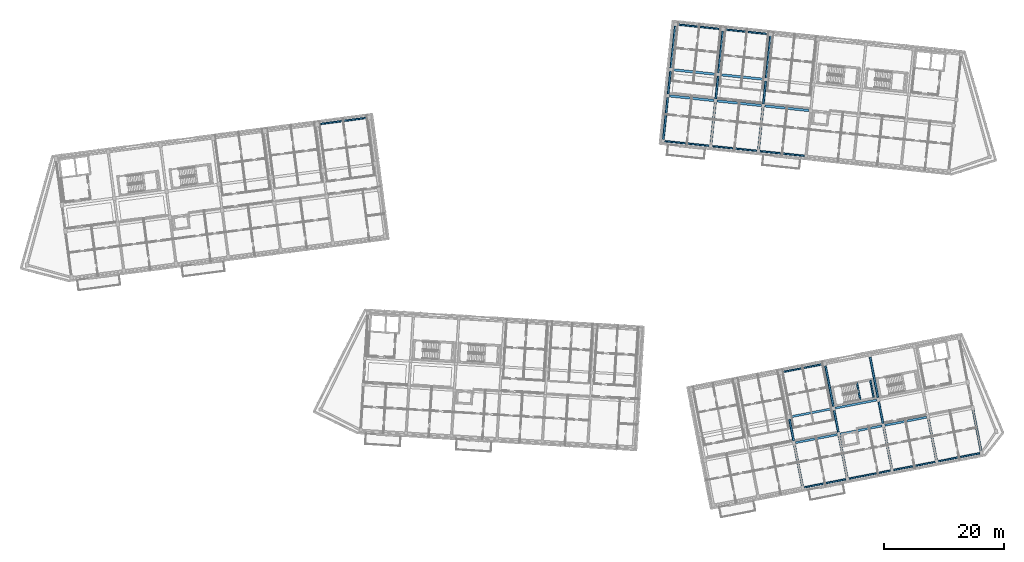
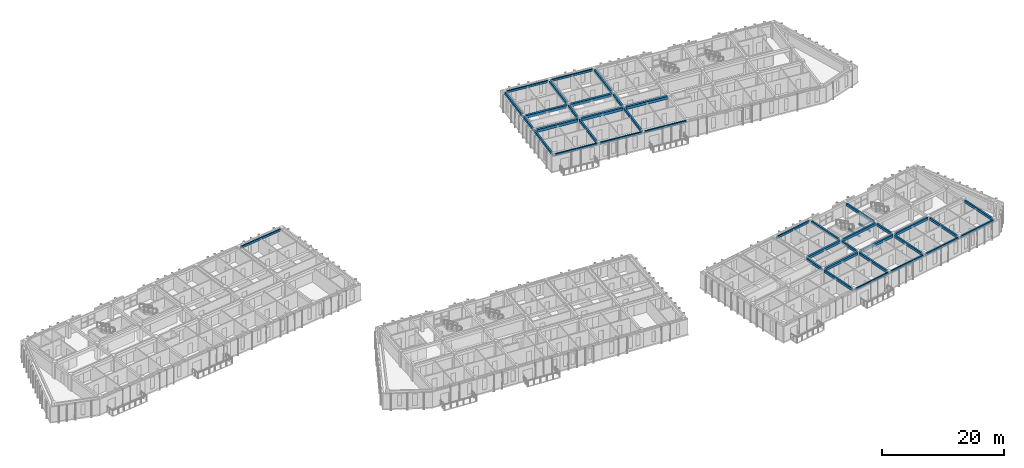
# One storey, part 8 of 66: 42 beams.
"""IFC4 building model written with IfcOpenShell, lengths in metres."""

from ifc_helpers import new_model, si_unit, direction, frame, origin, origin_2d, place, context, subcontext, project, spatial, rectangle, extrude, material, material_profile, profile_set, type_object, element, save


model = new_model("IFC4")

# Units and contexts
model_context = context("Model", 3, precision=1e-05, world=origin(), true_north=direction((0.0, 1.0)))
body_context = subcontext(model_context, "Body", "Model", "MODEL_VIEW")
ifc_project = project(units=[si_unit("LENGTHUNIT", "METRE"), si_unit("AREAUNIT", "SQUARE_METRE"), si_unit("VOLUMEUNIT", "CUBIC_METRE"), si_unit("PLANEANGLEUNIT", "RADIAN"), si_unit("MASSUNIT", "GRAM", prefix="KILO")], contexts=[model_context])

# Site, building, storey
site_placement = place(None, origin())
site = spatial("IfcSite", under=ifc_project, at=site_placement, CompositionType="ELEMENT")
building_placement = place(site_placement, origin())
building = spatial("IfcBuilding", under=site, at=building_placement, Name="Kestramere Prow Commons", CompositionType="ELEMENT")
storey_placement = place(building_placement, frame((0.0, 0.0, 14.89990234375)))
storey = spatial("IfcBuildingStorey", under=building, at=storey_placement, Name="L04", CompositionType="ELEMENT", Elevation=14.89990234375)

# Beams
ifc_material_1 = material(Name="Precast concrete C40/50", Category="concrete")
ifc_material_profile_1 = material_profile(ifc_material_1, rectangle(XDim=0.39990234375, YDim=0.550048828125, at=origin_2d()), Name="PC-BM 400x550")
ifc_profile_set_1 = profile_set([ifc_material_profile_1], Name="Precast concrete C40/50")
beam_type_1 = type_object("IfcBeamType", Name="BM-B1 PC-BM 400x550", PredefinedType="BEAM", material=ifc_profile_set_1)
for number, where, z_axis, x_axis, name in (
    (1, (111.06787109375, 102.32958984375, 2.72509765625), (0.994520884665, -0.104538079019, 0.0), (0.104538079019, 0.994520884665, 0.0), "Block B L04 Longitudinal Beam 2-1"),
    (2, (119.024169921875, 101.493408203125, 2.72509765625), (0.994520884665, -0.104538079019, 0.0), (0.104538079019, 0.994520884665, 0.0), "Block B L04 Longitudinal Beam 2-2"),
    (3, (126.980224609375, 100.6572265625, 2.72509765625), (0.994520884665, -0.104538079019, 0.0), (0.104538079019, 0.994520884665, 0.0), "Block B L04 Longitudinal Beam 2-3"),
    (4, (111.52783203125, 106.70556640625, 2.72509765625), (0.994520884665, -0.104538079019, 0.0), (0.104538079019, 0.994520884665, 0.0), "Block B L04 Longitudinal Beam 3-1"),
    (5, (119.484130859375, 105.869384765625, 2.72509765625), (0.994520884665, -0.104538079019, 0.0), (0.104538079019, 0.994520884665, 0.0), "Block B L04 Longitudinal Beam 3-2"),
):
    element("IfcBeam", number, at=place(storey_placement, frame(where, z_axis=z_axis, x_axis=x_axis)), inside=storey, type_object=beam_type_1, Name=name, PredefinedType="BEAM", context=body_context, shape_type="SweptSolid", body=[
        extrude(rectangle(XDim=0.39990234375, YDim=0.550048828125, at=origin_2d()), origin(), (0.0, 0.0, 1.0), 7.449951171875),
    ])
ifc_material_profile_2 = material_profile(ifc_material_1, rectangle(XDim=0.35009765625, YDim=0.5, at=origin_2d()), Name="PC-BM 350x500")
ifc_profile_set_2 = profile_set([ifc_material_profile_2], Name="Precast concrete C40/50")
beam_type_2 = type_object("IfcBeamType", Name="BM-D1 PC-BM 350x500", PredefinedType="BEAM", material=ifc_profile_set_2)
beam_1_placement = place(storey_placement, frame((132.115966796875, 44.408447265625, 2.75), z_axis=(0.981627020401, 0.190809834175, 0.0), x_axis=(-0.190809834175, 0.981627020401, 0.0)))
element("IfcBeam", 6, at=beam_1_placement, inside=storey, type_object=beam_type_2, Name="Block D L04 Longitudinal Beam 2-3", PredefinedType="BEAM", context=body_context, shape_type="SweptSolid", body=[
    extrude(rectangle(XDim=0.35009765625, YDim=0.5, at=origin_2d()), origin(), (0.0, 0.0, 1.0), 7.099853515625),
])
for number, where, z_axis, x_axis, name in (
    (7, (139.576416015625, 45.8583984375, 2.75), (0.981620579181, 0.190842968244, 0.0), (-0.190842968244, 0.981620579181, 0.0), "Block D L04 Longitudinal Beam 2-4"),
    (8, (147.03662109375, 47.30859375, 2.75), (0.98162827229, 0.190803393686, 0.0), (-0.190803393686, 0.98162827229, 0.0), "Block D L04 Longitudinal Beam 2-5"),
    (9, (131.2763671875, 48.7275390625, 2.75), (0.98162827229, 0.190803393686, 0.0), (-0.190803393686, 0.98162827229, 0.0), "Block D L04 Longitudinal Beam 3-3"),
):
    element("IfcBeam", number, at=place(storey_placement, frame(where, z_axis=z_axis, x_axis=x_axis)), inside=storey, type_object=beam_type_2, Name=name, PredefinedType="BEAM", context=body_context, shape_type="SweptSolid", body=[
        extrude(rectangle(XDim=0.35009765625, YDim=0.5, at=origin_2d()), origin(), (0.0, 0.0, 1.0), 7.10009765625),
    ])
beam_2_placement = place(storey_placement, frame((138.73681640625, 50.177734375, 2.75), z_axis=(0.981627020401, 0.190809834175, 0.0), x_axis=(-0.190809834175, 0.981627020401, 0.0)))
element("IfcBeam", 10, at=beam_2_placement, inside=storey, type_object=beam_type_2, Name="Block D L04 Longitudinal Beam 3-4", PredefinedType="BEAM", context=body_context, shape_type="SweptSolid", body=[
    extrude(rectangle(XDim=0.35009765625, YDim=0.5, at=origin_2d()), origin(), (0.0, 0.0, 1.0), 7.099853515625),
])
ifc_material_2 = material(Name="Concrete C40/50", Category="concrete")
ifc_material_profile_3 = material_profile(ifc_material_2, rectangle(XDim=0.25, YDim=0.35009765625, at=origin_2d()), Name="PC-BM 250x350")
ifc_profile_set_3 = profile_set([ifc_material_profile_3], Name="Concrete C40/50")
beam_type_3 = type_object("IfcBeamType", Name="BM-ST-TRIM", PredefinedType="BEAM", material=ifc_profile_set_3)
beam_3_placement = place(storey_placement, frame((142.92529296875, 51.53173828125, 1.25), z_axis=(-0.190752078966, 0.981638245165, 0.0), x_axis=(-0.981638245165, -0.190752078966, 0.0)))
element("IfcBeam", 11, at=beam_3_placement, inside=storey, type_object=beam_type_3, Name="ST-D1 L04 Landing Trimmer Beam 1A", PredefinedType="BEAM", context=body_context, shape_type="SweptSolid", body=[
    extrude(rectangle(XDim=0.25, YDim=0.35009765625, at=origin_2d()), origin(), (0.0, 0.0, 1.0), 2.889892578125),
])
beam_4_placement = place(storey_placement, frame((145.16357421875, 51.966796875, 1.25), z_axis=(-0.190833481473, 0.981622423516, 0.0), x_axis=(-0.981622423516, -0.190833481473, 0.0)))
element("IfcBeam", 12, at=beam_4_placement, inside=storey, type_object=beam_type_3, Name="ST-D1 L04 Landing Trimmer Beam 1B", PredefinedType="BEAM", context=body_context, shape_type="SweptSolid", body=[
    extrude(rectangle(XDim=0.25, YDim=0.35009765625, at=origin_2d()), origin(), (0.0, 0.0, 1.0), 2.89013671875),
])
ifc_material_profile_4 = material_profile(ifc_material_1, rectangle(XDim=0.300048828125, YDim=0.5, at=origin_2d()), Name="PC-BM 300x500")
ifc_profile_set_4 = profile_set([ifc_material_profile_4], Name="Precast concrete C40/50")
beam_type_4 = type_object("IfcBeamType", Name="BM-TIE-01 PC-BM 300x500", PredefinedType="BEAM", material=ifc_profile_set_4)
beam_5_placement = place(storey_placement, frame((110.02880859375, 95.073486328125, 2.75), z_axis=(0.104511730475, 0.994523653913, 0.0), x_axis=(-0.994523653913, 0.104511730475, 0.0)))
element("IfcBeam", 13, at=beam_5_placement, inside=storey, type_object=beam_type_4, Name="Block B L04 Transverse Beam 1-1", PredefinedType="BEAM", context=body_context, shape_type="SweptSolid", body=[
    extrude(rectangle(XDim=0.300048828125, YDim=0.5, at=origin_2d()), origin(), (0.0, 0.0, 1.0), 7.050048828125),
])
beam_6_placement = place(storey_placement, frame((110.8232421875, 102.6318359375, 2.75), z_axis=(0.104506528251, 0.994524200587, 0.0), x_axis=(-0.994524200587, 0.104506528251, 0.0)))
element("IfcBeam", 14, at=beam_6_placement, inside=storey, type_object=beam_type_4, Name="Block B L04 Transverse Beam 1-2", PredefinedType="BEAM", context=body_context, shape_type="SweptSolid", body=[
    extrude(rectangle(XDim=0.300048828125, YDim=0.5, at=origin_2d()), origin(), (0.0, 0.0, 1.0), 3.849853515625),
])
for number, where, z_axis, x_axis, name in (
    (15, (111.283203125, 107.0078125, 2.75), (0.104515329964, 0.994523275646, 0.0), (-0.994523275646, 0.104515329964, 0.0), "Block B L04 Transverse Beam 1-3"),
    (16, (117.98486328125, 94.2373046875, 2.75), (0.104549582151, 0.994519675458, 0.0), (-0.994519675458, 0.104549582151, 0.0), "Block B L04 Transverse Beam 2-1"),
):
    element("IfcBeam", number, at=place(storey_placement, frame(where, z_axis=z_axis, x_axis=x_axis)), inside=storey, type_object=beam_type_4, Name=name, PredefinedType="BEAM", context=body_context, shape_type="SweptSolid", body=[
        extrude(rectangle(XDim=0.300048828125, YDim=0.5, at=origin_2d()), origin(), (0.0, 0.0, 1.0), 7.0498046875),
    ])
beam_7_placement = place(storey_placement, frame((118.779296875, 101.795654296875, 2.75), z_axis=(0.104569249198, 0.994517607749, 0.0), x_axis=(-0.994517607749, 0.104569249198, 0.0)))
element("IfcBeam", 17, at=beam_7_placement, inside=storey, type_object=beam_type_4, Name="Block B L04 Transverse Beam 2-2", PredefinedType="BEAM", context=body_context, shape_type="SweptSolid", body=[
    extrude(rectangle(XDim=0.300048828125, YDim=0.5, at=origin_2d()), origin(), (0.0, 0.0, 1.0), 3.849853515625),
])
for number, where, z_axis, x_axis, name in (
    (18, (119.2392578125, 106.171630859375, 2.75), (0.104515329964, 0.994523275646, 0.0), (-0.994523275646, 0.104515329964, 0.0), "Block B L04 Transverse Beam 2-3"),
    (19, (125.941162109375, 93.401123046875, 2.75), (0.104515329964, 0.994523275646, 0.0), (-0.994523275646, 0.104515329964, 0.0), "Block B L04 Transverse Beam 3-1"),
):
    element("IfcBeam", number, at=place(storey_placement, frame(where, z_axis=z_axis, x_axis=x_axis)), inside=storey, type_object=beam_type_4, Name=name, PredefinedType="BEAM", context=body_context, shape_type="SweptSolid", body=[
        extrude(rectangle(XDim=0.300048828125, YDim=0.5, at=origin_2d()), origin(), (0.0, 0.0, 1.0), 7.0498046875),
    ])
beam_8_placement = place(storey_placement, frame((126.735595703125, 100.95947265625, 2.75), z_axis=(0.104506528251, 0.994524200587, 0.0), x_axis=(-0.994524200587, 0.104506528251, 0.0)))
element("IfcBeam", 20, at=beam_8_placement, inside=storey, type_object=beam_type_4, Name="Block B L04 Transverse Beam 3-2", PredefinedType="BEAM", context=body_context, shape_type="SweptSolid", body=[
    extrude(rectangle(XDim=0.300048828125, YDim=0.5, at=origin_2d()), origin(), (0.0, 0.0, 1.0), 3.849853515625),
])
beam_9_placement = place(storey_placement, frame((127.195556640625, 105.335205078125, 2.75), z_axis=(0.104511730475, 0.994523653913, 0.0), x_axis=(-0.994523653913, 0.104511730475, 0.0)))
element("IfcBeam", 21, at=beam_9_placement, inside=storey, type_object=beam_type_4, Name="Block B L04 Transverse Beam 3-3", PredefinedType="BEAM", context=body_context, shape_type="SweptSolid", body=[
    extrude(rectangle(XDim=0.300048828125, YDim=0.5, at=origin_2d()), origin(), (0.0, 0.0, 1.0), 7.050048828125),
])
beam_10_placement = place(storey_placement, frame((133.25390625, 37.243896484375, 2.75), z_axis=(-0.190819465253, 0.981625148252, 0.0), x_axis=(-0.981625148252, -0.190819465253, 0.0)))
element("IfcBeam", 22, at=beam_10_placement, inside=storey, type_object=beam_type_4, Name="Block D L04 Transverse Beam 3-1", PredefinedType="BEAM", context=body_context, shape_type="SweptSolid", body=[
    extrude(rectangle(XDim=0.300048828125, YDim=0.5, at=origin_2d()), origin(), (0.0, 0.0, 1.0), 6.89990234375),
])
beam_11_placement = place(storey_placement, frame((131.8037109375, 44.704345703125, 2.75), z_axis=(-0.190770750015, 0.98163461682, 0.0), x_axis=(-0.98163461682, -0.190770750015, 0.0)))
element("IfcBeam", 23, at=beam_11_placement, inside=storey, type_object=beam_type_4, Name="Block D L04 Transverse Beam 3-2", PredefinedType="BEAM", context=body_context, shape_type="SweptSolid", body=[
    extrude(rectangle(XDim=0.300048828125, YDim=0.5, at=origin_2d()), origin(), (0.0, 0.0, 1.0), 3.69970703125),
])
beam_12_placement = place(storey_placement, frame((140.71435546875, 38.694091796875, 2.75), z_axis=(-0.190819465253, 0.981625148252, 0.0), x_axis=(-0.981625148252, -0.190819465253, 0.0)))
element("IfcBeam", 24, at=beam_12_placement, inside=storey, type_object=beam_type_4, Name="Block D L04 Transverse Beam 4-1", PredefinedType="BEAM", context=body_context, shape_type="SweptSolid", body=[
    extrude(rectangle(XDim=0.300048828125, YDim=0.5, at=origin_2d()), origin(), (0.0, 0.0, 1.0), 6.89990234375),
])
beam_13_placement = place(storey_placement, frame((139.26416015625, 46.154296875, 2.75), z_axis=(-0.190821974723, 0.981624660429, 0.0), x_axis=(-0.981624660429, -0.190821974723, 0.0)))
element("IfcBeam", 25, at=beam_13_placement, inside=storey, type_object=beam_type_4, Name="Block D L04 Transverse Beam 4-2", PredefinedType="BEAM", context=body_context, shape_type="SweptSolid", body=[
    extrude(rectangle(XDim=0.300048828125, YDim=0.5, at=origin_2d()), origin(), (0.0, 0.0, 1.0), 3.699951171875),
])
beam_14_placement = place(storey_placement, frame((138.424560546875, 50.4736328125, 2.75), z_axis=(-0.190819465253, 0.981625148252, 0.0), x_axis=(-0.981625148252, -0.190819465253, 0.0)))
element("IfcBeam", 26, at=beam_14_placement, inside=storey, type_object=beam_type_4, Name="Block D L04 Transverse Beam 4-3", PredefinedType="BEAM", context=body_context, shape_type="SweptSolid", body=[
    extrude(rectangle(XDim=0.300048828125, YDim=0.5, at=origin_2d()), origin(), (0.0, 0.0, 1.0), 6.89990234375),
])
beam_15_placement = place(storey_placement, frame((148.1748046875, 40.14404296875, 2.75), z_axis=(-0.190812837813, 0.981626436546, 0.0), x_axis=(-0.981626436546, -0.190812837813, 0.0)))
element("IfcBeam", 27, at=beam_15_placement, inside=storey, type_object=beam_type_4, Name="Block D L04 Transverse Beam 5-1", PredefinedType="BEAM", context=body_context, shape_type="SweptSolid", body=[
    extrude(rectangle(XDim=0.300048828125, YDim=0.5, at=origin_2d()), origin(), (0.0, 0.0, 1.0), 6.900146484375),
])
beam_16_placement = place(storey_placement, frame((146.724609375, 47.6044921875, 2.75), z_axis=(-0.190821974723, 0.981624660429, 0.0), x_axis=(-0.981624660429, -0.190821974723, 0.0)))
element("IfcBeam", 28, at=beam_16_placement, inside=storey, type_object=beam_type_4, Name="Block D L04 Transverse Beam 5-2", PredefinedType="BEAM", context=body_context, shape_type="SweptSolid", body=[
    extrude(rectangle(XDim=0.300048828125, YDim=0.5, at=origin_2d()), origin(), (0.0, 0.0, 1.0), 3.699951171875),
])
beam_17_placement = place(storey_placement, frame((145.885009765625, 51.923583984375, 2.75), z_axis=(-0.190812837813, 0.981626436546, 0.0), x_axis=(-0.981626436546, -0.190812837813, 0.0)))
element("IfcBeam", 29, at=beam_17_placement, inside=storey, type_object=beam_type_4, Name="Block D L04 Transverse Beam 5-3", PredefinedType="BEAM", context=body_context, shape_type="SweptSolid", body=[
    extrude(rectangle(XDim=0.300048828125, YDim=0.5, at=origin_2d()), origin(), (0.0, 0.0, 1.0), 6.900146484375),
])
for number, where, z_axis, x_axis, name in (
    (30, (155.635009765625, 41.59423828125, 2.75), (-0.190819465253, 0.981625148252, 0.0), (-0.981625148252, -0.190819465253, 0.0), "Block D L04 Transverse Beam 6-1"),
    (31, (163.095458984375, 43.04443359375, 2.75), (-0.190819465253, 0.981625148252, 0.0), (-0.981625148252, -0.190819465253, 0.0), "Block D L04 Transverse Beam 7-1"),
):
    element("IfcBeam", number, at=place(storey_placement, frame(where, z_axis=z_axis, x_axis=x_axis)), inside=storey, type_object=beam_type_4, Name=name, PredefinedType="BEAM", context=body_context, shape_type="SweptSolid", body=[
        extrude(rectangle(XDim=0.300048828125, YDim=0.5, at=origin_2d()), origin(), (0.0, 0.0, 1.0), 6.89990234375),
    ])
ifc_material_profile_5 = material_profile(ifc_material_1, rectangle(XDim=0.25, YDim=0.39990234375, at=origin_2d()), Name="PC-SP 250x400")
ifc_profile_set_5 = profile_set([ifc_material_profile_5], Name="Precast concrete C40/50")
beam_type_5 = type_object("IfcBeamType", Name="SP-EXT-01 PC-SP 250x400", PredefinedType="SPANDREL", material=ifc_profile_set_5)
beam_18_placement = place(storey_placement, frame((52.485595703125, 97.60791015625, 2.800048828125), z_axis=(0.991443917843, 0.130533358852, 0.0), x_axis=(-0.130533358852, 0.991443917843, 0.0)))
element("IfcBeam", 32, at=beam_18_placement, inside=storey, type_object=beam_type_5, Name="Block A L04 Longitudinal Beam 4-6", PredefinedType="SPANDREL", context=body_context, shape_type="SweptSolid", body=[
    extrude(rectangle(XDim=0.25, YDim=0.39990234375, at=origin_2d()), origin(), (0.0, 0.0, 1.0), 8.25),
])
for number, where, z_axis, x_axis, name in (
    (33, (110.2734375, 94.771240234375, 2.800048828125), (0.994520884665, -0.104538079019, 0.0), (0.104538079019, 0.994520884665, 0.0), "Block B L04 Longitudinal Beam 1-1"),
    (34, (118.229736328125, 93.93505859375, 2.800048828125), (0.994520884665, -0.104538079019, 0.0), (0.104538079019, 0.994520884665, 0.0), "Block B L04 Longitudinal Beam 1-2"),
    (35, (126.185791015625, 93.098876953125, 2.800048828125), (0.994520884665, -0.104538079019, 0.0), (0.104538079019, 0.994520884665, 0.0), "Block B L04 Longitudinal Beam 1-3"),
    (36, (112.322265625, 114.263916015625, 2.800048828125), (0.994520884665, -0.104538079019, 0.0), (0.104538079019, 0.994520884665, 0.0), "Block B L04 Longitudinal Beam 4-1"),
    (37, (120.2783203125, 113.427734375, 2.800048828125), (0.994520884665, -0.104538079019, 0.0), (0.104538079019, 0.994520884665, 0.0), "Block B L04 Longitudinal Beam 4-2"),
):
    element("IfcBeam", number, at=place(storey_placement, frame(where, z_axis=z_axis, x_axis=x_axis)), inside=storey, type_object=beam_type_5, Name=name, PredefinedType="SPANDREL", context=body_context, shape_type="SweptSolid", body=[
        extrude(rectangle(XDim=0.25, YDim=0.39990234375, at=origin_2d()), origin(), (0.0, 0.0, 1.0), 7.449951171875),
    ])
for number, where, z_axis, x_axis, name in (
    (38, (133.566162109375, 36.947998046875, 2.800048828125), (0.981627020401, 0.190809834175, 0.0), (-0.190809834175, 0.981627020401, 0.0), "Block D L04 Longitudinal Beam 1-3"),
    (39, (141.026611328125, 38.398193359375, 2.800048828125), (0.981627020401, 0.190809834175, 0.0), (-0.190809834175, 0.981627020401, 0.0), "Block D L04 Longitudinal Beam 1-4"),
):
    element("IfcBeam", number, at=place(storey_placement, frame(where, z_axis=z_axis, x_axis=x_axis)), inside=storey, type_object=beam_type_5, Name=name, PredefinedType="SPANDREL", context=body_context, shape_type="SweptSolid", body=[
        extrude(rectangle(XDim=0.25, YDim=0.39990234375, at=origin_2d()), origin(), (0.0, 0.0, 1.0), 7.099853515625),
    ])
beam_19_placement = place(storey_placement, frame((148.48681640625, 39.848388671875, 2.800048828125), z_axis=(0.98162827229, 0.190803393686, 0.0), x_axis=(-0.190803393686, 0.98162827229, 0.0)))
element("IfcBeam", 40, at=beam_19_placement, inside=storey, type_object=beam_type_5, Name="Block D L04 Longitudinal Beam 1-5", PredefinedType="SPANDREL", context=body_context, shape_type="SweptSolid", body=[
    extrude(rectangle(XDim=0.25, YDim=0.39990234375, at=origin_2d()), origin(), (0.0, 0.0, 1.0), 7.10009765625),
])
beam_20_placement = place(storey_placement, frame((155.947265625, 41.29833984375, 2.800048828125), z_axis=(0.981627020401, 0.190809834175, 0.0), x_axis=(-0.190809834175, 0.981627020401, 0.0)))
element("IfcBeam", 41, at=beam_20_placement, inside=storey, type_object=beam_type_5, Name="Block D L04 Longitudinal Beam 1-6", PredefinedType="SPANDREL", context=body_context, shape_type="SweptSolid", body=[
    extrude(rectangle(XDim=0.25, YDim=0.39990234375, at=origin_2d()), origin(), (0.0, 0.0, 1.0), 7.099853515625),
])
beam_21_placement = place(storey_placement, frame((129.826171875, 56.18798828125, 2.800048828125), z_axis=(0.98162827229, 0.190803393686, 0.0), x_axis=(-0.190803393686, 0.98162827229, 0.0)))
element("IfcBeam", 42, at=beam_21_placement, inside=storey, type_object=beam_type_5, Name="Block D L04 Longitudinal Beam 4-3", PredefinedType="SPANDREL", context=body_context, shape_type="SweptSolid", body=[
    extrude(rectangle(XDim=0.25, YDim=0.39990234375, at=origin_2d()), origin(), (0.0, 0.0, 1.0), 7.10009765625),
])

save(model, "model.ifc")
